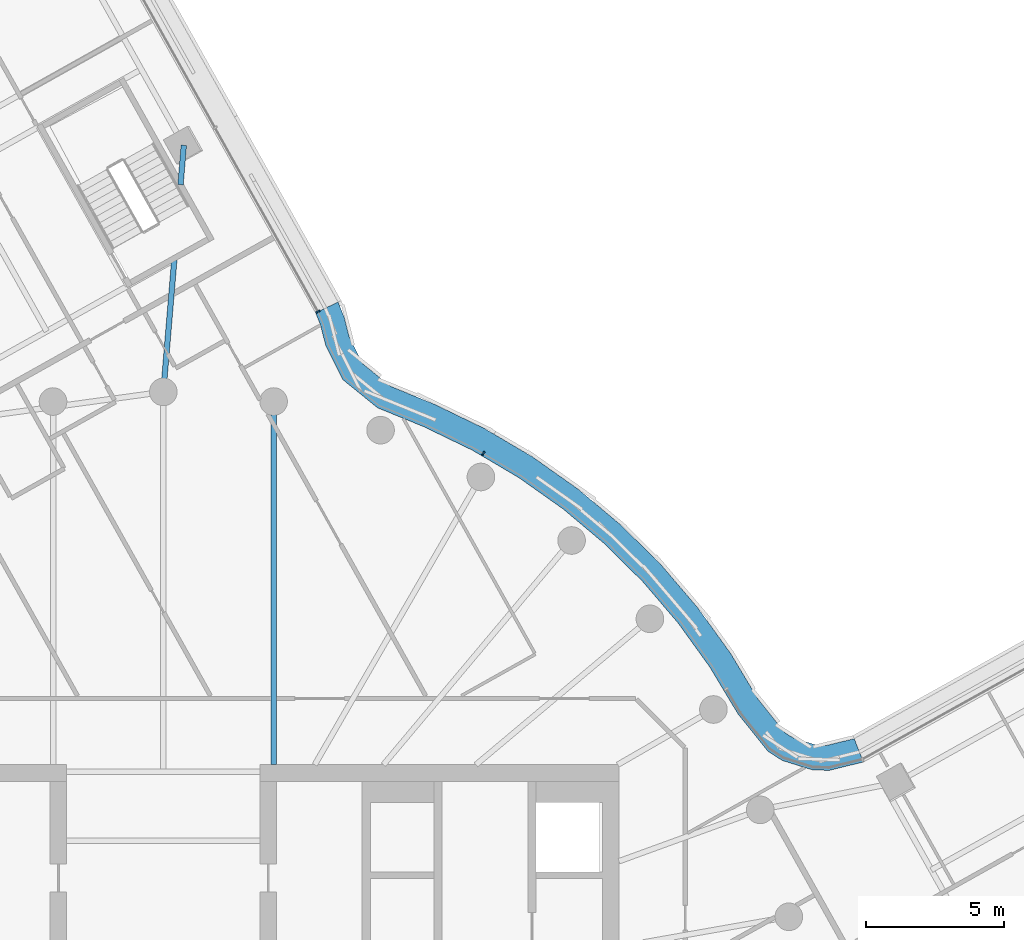
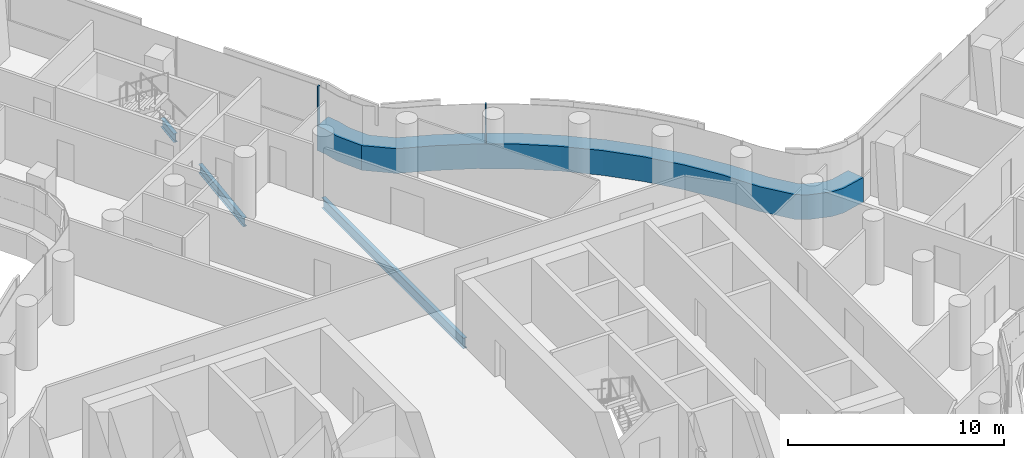
# One storey, part 15 of 34: 3 beams, 3 members, 2 elements without a shape of their own.
"""IFC4 building model written with IfcOpenShell, lengths in metres."""

from ifc_helpers import new_model, si_unit, direction, frame, origin, origin_2d, place, context, subcontext, project, spatial, polyline, rectangle, i_section, outline, extrude, material, layer, layer_set, material_profile, profile_set, type_object, element, aggregate, save


model = new_model("IFC4")

# Units and contexts
model_context = context("Model", 3, precision=1e-05, world=origin(), true_north=direction((0.0, 1.0)))
body_context = subcontext(model_context, "Body", "Model", "MODEL_VIEW")
ifc_project = project(units=[si_unit("LENGTHUNIT", "METRE"), si_unit("AREAUNIT", "SQUARE_METRE"), si_unit("VOLUMEUNIT", "CUBIC_METRE"), si_unit("PLANEANGLEUNIT", "RADIAN"), si_unit("MASSUNIT", "GRAM", prefix="KILO")], contexts=[model_context])

# Site, building, storey
site_placement = place(None, origin())
site = spatial("IfcSite", under=ifc_project, at=site_placement, CompositionType="ELEMENT")
building_placement = place(site_placement, origin())
building = spatial("IfcBuilding", under=site, at=building_placement, Name="Tamarind Cross Interchange Tower", CompositionType="ELEMENT")
storey_placement = place(building_placement, frame((0.0, 0.0, 140.5)))
storey = spatial("IfcBuildingStorey", under=building, at=storey_placement, Name="L34", CompositionType="ELEMENT", Elevation=140.5)

# Beams
ifc_material_1 = material(Name="Steel Q355B", Category="steel")
ifc_material_profile_1 = material_profile(ifc_material_1, i_section(OverallWidth=0.198974609375, OverallDepth=0.49609375, WebThickness=0.009033203125, FlangeThickness=0.013916015625, FilletRadius=0.012939453125, at=origin_2d()), Name="HN 496x199x9x14")
ifc_profile_set_1 = profile_set([ifc_material_profile_1], Name="Steel Q355B")
beam_type_1 = type_object("IfcBeamType", Name="Composite beam HN 496x199x9x14 Q355B", PredefinedType="BEAM", material=ifc_profile_set_1)
beam_1_placement = place(storey_placement, frame((0.742431640625, 31.92919921875, -0.387939453125), z_axis=(-0.082946607372, -0.99655399268, 0.0), x_axis=(0.99655399268, -0.082946607372, 0.0)))
element("IfcBeam", 1, at=beam_1_placement, inside=storey, type_object=beam_type_1, Name="Beam N-linkemt0", PredefinedType="BEAM", context=body_context, shape_type="SweptSolid", body=[
    extrude(i_section(OverallWidth=0.198974609375, OverallDepth=0.49609375, WebThickness=0.009033203125, FlangeThickness=0.013916015625, FilletRadius=0.012939453125, at=origin_2d()), origin(), (0.0, 0.0, 1.0), 1.430419921875),
])
beam_2_placement = place(storey_placement, frame((0.402587890625, 27.841796875, -0.387939453125), z_axis=(-0.082862498595, -0.996560989768, 0.0), x_axis=(0.996560989768, -0.082862498595, 0.0)))
element("IfcBeam", 2, at=beam_2_placement, inside=storey, type_object=beam_type_1, Name="Beam N-linkemt1", PredefinedType="BEAM", context=body_context, shape_type="SweptSolid", body=[
    extrude(i_section(OverallWidth=0.198974609375, OverallDepth=0.49609375, WebThickness=0.009033203125, FlangeThickness=0.013916015625, FilletRadius=0.012939453125, at=origin_2d()), origin(), (0.0, 0.0, 1.0), 4.8583984375),
])
ifc_material_profile_2 = material_profile(ifc_material_1, i_section(OverallWidth=0.198974609375, OverallDepth=0.595947265625, WebThickness=0.010009765625, FlangeThickness=0.014892578125, FilletRadius=0.012939453125, at=origin_2d()), Name="HN 596x199x10x15")
ifc_profile_set_2 = profile_set([ifc_material_profile_2], Name="Steel Q355B")
beam_type_2 = type_object("IfcBeamType", Name="Composite beam HN 596x199x10x15 Q355B", PredefinedType="BEAM", material=ifc_profile_set_2)
beam_3_placement = place(storey_placement, frame((3.993896484375, 22.650634765625, -0.43798828125), z_axis=(0.0, -1.0, 0.0), x_axis=(1.0, 0.0, 0.0)))
element("IfcBeam", 3, at=beam_3_placement, inside=storey, type_object=beam_type_2, Name="Beam HH08", PredefinedType="BEAM", context=body_context, shape_type="SweptSolid", body=[
    extrude(i_section(OverallWidth=0.198974609375, OverallDepth=0.595947265625, WebThickness=0.010009765625, FlangeThickness=0.014892578125, FilletRadius=0.012939453125, at=origin_2d()), origin(), (0.0, 0.0, 1.0), 13.150634765625),
])

# Curtain wall, members
ifc_material_2 = material(Name="Aluminium 6063-T6", Category="aluminium")
ifc_layer = layer(ifc_material_2, 0.159912109375)
ifc_layer_set = layer_set([ifc_layer], Name="Aluminium 6063-T6")
curtain_wall_type = type_object("IfcCurtainWallType", Name="Office curtain wall, 9.0 m bays", PredefinedType="NOTDEFINED", material=ifc_layer_set)
curtain_wall_1_placement = place(storey_placement, origin())
curtain_wall_1 = element("IfcCurtainWall", 4, at=curtain_wall_1_placement, inside=storey, type_object=curtain_wall_type, Name="CWS-L34-10", PredefinedType="NOTDEFINED")
ifc_material_3 = material(Name="Aluminium and insulated spandrel panel", Category="aluminium")
member_type_1 = type_object("IfcMemberType", Name="Floor-edge blade transom", PredefinedType="USERDEFINED", material=ifc_material_3)
member_1_placement = place(storey_placement, origin())
member_1 = element("IfcMember", 5, at=member_1_placement, type_object=member_type_1, Name="CWT-L34-10", ObjectType="TRANSOM", PredefinedType="USERDEFINED", context=body_context, shape_type="SweptSolid", body=[
    extrude(outline(polyline([(25.3505859375, 9.597900390625), (24.107177734375, 9.29443359375), (23.5, 9.3134765625), (22.408935546875, 9.654296875), (21.892333984375, 9.98828125), (20.807861328125, 11.339599609375), (19.78125, 13.045654296875), (18.636474609375, 14.634521484375), (17.3642578125, 16.12353515625), (15.973388671875, 17.50244140625), (14.4736328125, 18.76171875), (12.874755859375, 19.892822265625), (11.188232421875, 20.88818359375), (9.42236328125, 21.741943359375), (7.75732421875, 22.42236328125), (6.501220703125, 23.442138671875), (5.880126953125, 24.68115234375), (5.693115234375, 25.417236328125), (5.51416015625, 25.86572265625), (6.328125, 26.25390625), (6.55078125, 25.696044921875), (6.728515625, 24.9970703125), (7.21875, 24.0185546875), (8.220947265625, 23.205078125), (9.788818359375, 22.564453125), (11.613525390625, 21.68212890625), (13.3642578125, 20.64892578125), (15.023681640625, 19.474853515625), (16.580810546875, 18.167724609375), (18.0244140625, 16.736572265625), (19.344970703125, 15.19091796875), (20.533203125, 13.54150390625), (21.547607421875, 11.85546875), (22.503173828125, 10.6650390625), (22.79443359375, 10.476806640625), (23.651123046875, 10.209228515625), (24.012939453125, 10.19775390625), (25.0185546875, 10.443359375), (25.3505859375, 9.597900390625)])), origin(), (0.0, 0.0, 1.0), 1.39990234375),
])
ifc_material_profile_3 = material_profile(ifc_material_2, rectangle(XDim=0.06005859375, YDim=0.159912109375, at=origin_2d()), Name="Mullion CW1")
ifc_profile_set_3 = profile_set([ifc_material_profile_3], Name="Aluminium 6063-T6")
member_type_2 = type_object("IfcMemberType", Name="Mullion CW1", PredefinedType="MULLION", material=ifc_profile_set_3)
member_2_placement = place(storey_placement, frame((11.58642578125, 20.769287109375, 1.39990234375), z_axis=(0.0, 0.0, 1.0), x_axis=(-0.861248933065, 0.508183308752, 0.0)))
member_2 = element("IfcMember", 6, at=member_2_placement, type_object=member_type_2, Name="CWM-L34-10-02", PredefinedType="MULLION", context=body_context, shape_type="SweptSolid", body=[
    extrude(rectangle(XDim=0.06005859375, YDim=0.159912109375, at=origin_2d()), origin(), (0.0, 0.0, 1.0), 2.210205078125),
])
aggregate(curtain_wall_1, [member_2, member_1])

# Curtain wall, member
curtain_wall_2_placement = place(storey_placement, origin())
curtain_wall_2 = element("IfcCurtainWall", 7, at=curtain_wall_2_placement, inside=storey, type_object=curtain_wall_type, Name="CWS-L34-11", PredefinedType="NOTDEFINED")
member_3_placement = place(storey_placement, frame((5.604736328125, 25.908935546875, 1.39990234375), z_axis=(0.0, 0.0, 1.0), x_axis=(-0.430580409113, 0.90255222081, 0.0)))
member_3 = element("IfcMember", 8, at=member_3_placement, type_object=member_type_2, Name="CWM-L34-11-00", PredefinedType="MULLION", context=body_context, shape_type="SweptSolid", body=[
    extrude(rectangle(XDim=0.06005859375, YDim=0.159912109375, at=origin_2d()), origin(), (0.0, 0.0, 1.0), 2.210205078125),
])
aggregate(curtain_wall_2, [member_3])

save(model, "model.ifc")
